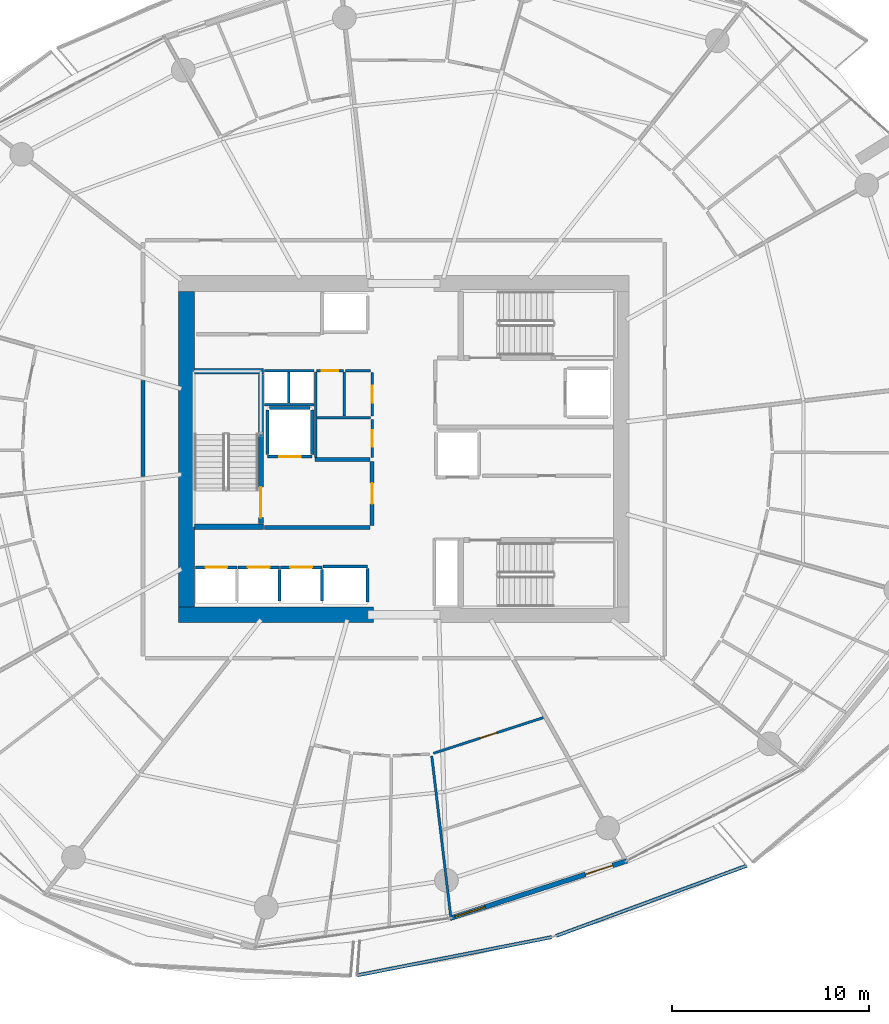
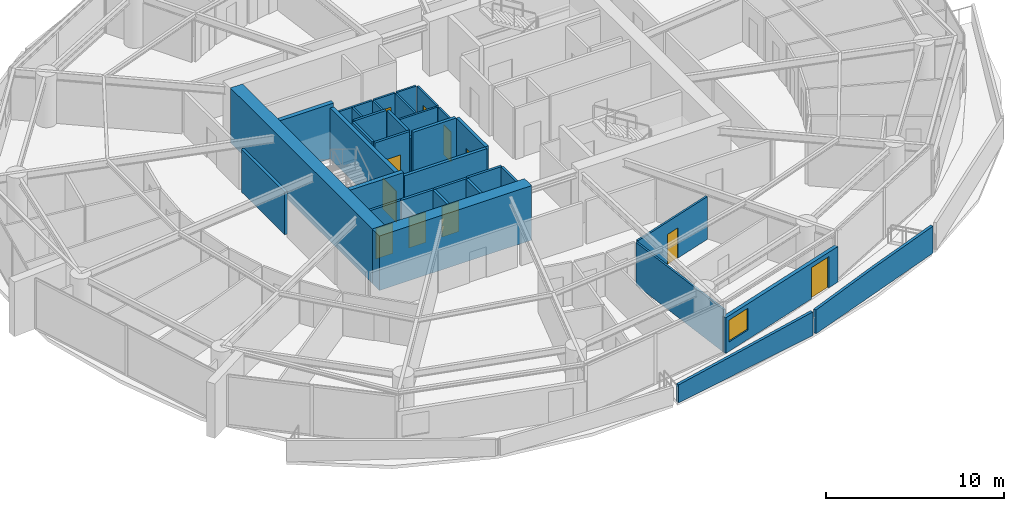
# One storey, part 12 of 23: 35 walls, 11 doors, 1 window, 12 openings.
"""IFC4 building model written with IfcOpenShell, lengths in metres."""

from ifc_helpers import new_model, si_unit, direction, frame, frame_2d, origin, place, context, subcontext, project, spatial, polyline, rectangle, outline, extrude, material, layer, layer_set, type_object, element, fill, save


model = new_model("IFC4")

# Units and contexts
model_context = context("Model", 3, precision=1e-05, world=origin(), true_north=direction((0.0, 1.0)))
body_context = subcontext(model_context, "Body", "Model", "MODEL_VIEW")
ifc_project = project(units=[si_unit("LENGTHUNIT", "METRE"), si_unit("AREAUNIT", "SQUARE_METRE"), si_unit("VOLUMEUNIT", "CUBIC_METRE"), si_unit("PLANEANGLEUNIT", "RADIAN"), si_unit("MASSUNIT", "GRAM", prefix="KILO")], contexts=[model_context])

# Site, building, storey
site_placement = place(None, origin())
site = spatial("IfcSite", under=ifc_project, at=site_placement, CompositionType="ELEMENT")
building_placement = place(site_placement, origin())
building = spatial("IfcBuilding", under=site, at=building_placement, Name="Kazma Halo Residences", CompositionType="ELEMENT")
storey_placement = place(building_placement, frame((0.0, 0.0, 97.64990234375)))
storey = spatial("IfcBuildingStorey", under=building, at=storey_placement, Name="L24", CompositionType="ELEMENT", Elevation=97.64990234375)

# Walls
ifc_material_1 = material(Name="White Concrete C50/60 Balustrade", Category="concrete")
ifc_layer_1 = layer(ifc_material_1, 0.179931640625)
ifc_layer_set_1 = layer_set([ifc_layer_1], Name="White Concrete C50/60 Balustrade")
wall_type_1 = type_object("IfcWallType", Name="WL-BAL-WAVE-180", PredefinedType="PARAPET", material=ifc_layer_set_1)
wall_1_placement = place(storey_placement, frame((46.063720703125, 15.314453125, 0.0), z_axis=(0.0, 0.0, 1.0), x_axis=(0.98127943736, 0.192589370979, 0.0)))
element("IfcWall", 1, at=wall_1_placement, inside=storey, type_object=wall_type_1, Name="L24 white wave balustrade wall SSE.1", PredefinedType="PARAPET", context=body_context, shape_type="SweptSolid", body=[
    extrude(outline(polyline([(0.0, 0.0), (10.041259765625, 0.0), (10.041259765625, 1.632080078125), (5.0205078125, 1.418212890625), (0.0, 1.233154296875), (0.0, 0.0)])), frame((0.0, 0.08984375, 0.0), z_axis=(0.0, -1.0, 0.0), x_axis=(1.0, 0.0, 0.0)), (0.0, 0.0, 1.0), 0.179931640625),
])
wall_2_placement = place(storey_placement, frame((56.1474609375, 17.312744140625, 0.0), z_axis=(0.0, 0.0, 1.0), x_axis=(0.938356460989, 0.345669136777, 0.0)))
element("IfcWall", 2, at=wall_2_placement, inside=storey, type_object=wall_type_1, Name="L24 white wave balustrade wall SSE.2", PredefinedType="PARAPET", context=body_context, shape_type="SweptSolid", body=[
    extrude(outline(polyline([(0.0, 0.0), (10.3076171875, 0.0), (10.3076171875, 1.860107421875), (5.15380859375, 1.798095703125), (0.0, 1.632080078125), (0.0, 0.0)])), frame((0.0, 0.08984375, 0.0), z_axis=(0.0, -1.0, 0.0), x_axis=(1.0, 0.0, 0.0)), (0.0, 0.0, 1.0), 0.179931640625),
])
ifc_material_2 = material(Name="Concrete C80/95", Category="concrete")
ifc_layer_2 = layer(ifc_material_2, 0.800048828125)
ifc_layer_set_2 = layer_set([ifc_layer_2], Name="Concrete C80/95")
wall_type_2 = type_object("IfcWallType", Name="WL-CORE-800", PredefinedType="SHEAR", material=ifc_layer_set_2)
wall_3_placement = place(storey_placement, frame((37.0, 33.60009765625, 0.0), z_axis=(0.0, 0.0, 1.0), x_axis=(1.0, 0.0, 0.0)))
element("IfcWall", 3, at=wall_3_placement, inside=storey, type_object=wall_type_2, Name="L24 central core shear wall SW", PredefinedType="SHEAR", context=body_context, shape_type="SweptSolid", body=[
    extrude(rectangle(XDim=9.89990234375, YDim=0.800048828125, at=frame_2d((4.949951171875, 0.0))), origin(), (0.0, 0.0, 1.0), 3.75),
])
wall_4_placement = place(storey_placement, frame((37.39990234375, 34.0, 0.0), z_axis=(0.0, 0.0, 1.0), x_axis=(0.0, 1.0, 0.0)))
element("IfcWall", 4, at=wall_4_placement, inside=storey, type_object=wall_type_2, Name="L24 central core shear wall W", PredefinedType="SHEAR", context=body_context, shape_type="SweptSolid", body=[
    extrude(rectangle(XDim=16.0, YDim=0.800048828125, at=frame_2d((8.0, 0.0))), origin(), (0.0, 0.0, 1.0), 3.75),
])
ifc_material_3 = material(Name="Concrete C60/75", Category="concrete")
ifc_layer_3 = layer(ifc_material_3, 0.280029296875)
ifc_layer_set_3 = layer_set([ifc_layer_3], Name="Concrete C60/75")
wall_type_3 = type_object("IfcWallType", Name="WL-CORE-ST-280", PredefinedType="SHEAR", material=ifc_layer_set_3)
for number, where, z_axis, x_axis, name in (
    (5, (37.800048828125, 38.06005859375, 0.0), (0.0, 0.0, 1.0), (1.0, 0.0, 0.0), "L24 stairwell bearing wall ST01-S"),
    (6, (37.800048828125, 45.93994140625, 0.0), (0.0, 0.0, 1.0), (1.0, 0.0, 0.0), "L24 stairwell bearing wall ST01-N"),
):
    element("IfcWall", number, at=place(storey_placement, frame(where, z_axis=z_axis, x_axis=x_axis)), inside=storey, type_object=wall_type_3, Name=name, PredefinedType="SHEAR", context=body_context, shape_type="SweptSolid", body=[
        extrude(rectangle(XDim=3.5, YDim=0.280029296875, at=frame_2d((1.75, 0.0))), origin(), (0.0, 0.0, 1.0), 3.75),
    ])
ifc_material_4 = material(Name="Acoustic Twin-Stud Gypsum")
ifc_layer_4 = layer(ifc_material_4, 0.179931640625)
ifc_layer_set_4 = layer_set([ifc_layer_4], Name="Acoustic Twin-Stud Gypsum")
wall_type_4 = type_object("IfcWallType", Name="WL-DEM-180", PredefinedType="PARTITIONING", material=ifc_layer_set_4)
wall_5_placement = place(storey_placement, frame((35.199951171875, 45.489990234375, 0.0), z_axis=(0.0, 0.0, 1.0), x_axis=(0.0, -1.0, 0.0)))
element("IfcWall", 7, at=wall_5_placement, inside=storey, type_object=wall_type_4, Name="L24 Apartment 1 inner wall 6", PredefinedType="PARTITIONING", context=body_context, shape_type="SweptSolid", body=[
    extrude(rectangle(XDim=4.885009765625, YDim=0.179931640625, at=frame_2d((2.4423828125, 0.0))), origin(), (0.0, 0.0, 1.0), 2.940185546875),
])

# Wall, openings, door, window
ifc_material_5 = material(Name="Insulated Pale-Metal Composite Wall")
ifc_layer_5 = layer(ifc_material_5, 0.239990234375)
ifc_layer_set_5 = layer_set([ifc_layer_5], Name="Insulated Pale-Metal Composite Wall")
wall_type_5 = type_object("IfcWallType", Name="WL-EXT-HOST-240", PredefinedType="SOLIDWALL", material=ifc_layer_set_5)
wall_6_placement = place(storey_placement, frame((50.76708984375, 18.202880859375, 0.0), z_axis=(0.0, 0.0, 1.0), x_axis=(0.951052494852, 0.30902937083, 0.0)))
wall_6 = element("IfcWall", 8, at=wall_6_placement, inside=storey, type_object=wall_type_5, Name="L24 exterior terrace-access wall B12", PredefinedType="SOLIDWALL", context=body_context, shape_type="SweptSolid", body=[
    extrude(rectangle(XDim=9.44384765625, YDim=0.239990234375, at=frame_2d((4.721923828125, 0.0))), origin(), (0.0, 0.0, 1.0), 2.4501953125),
])
opening_1_placement = place(wall_6_placement, frame((7.223876953125, 0.0, 0.0)))
opening_1 = element("IfcOpeningElement", 9, at=opening_1_placement, cuts=wall_6, Name="Opening DTR-1600", PredefinedType="OPENING", context=body_context, shape_type="SweptSolid", body=[
    extrude(rectangle(XDim=1.449951171875, YDim=2.14990234375, at=frame_2d((0.72509765625, 1.074951171875))), frame((0.0, 0.1298828125, 0.0), z_axis=(0.0, -1.0, 0.0), x_axis=(1.0, 0.0, 0.0)), (0.0, 0.0, 1.0), 0.260009765625),
])
opening_2_placement = place(wall_6_placement, frame((0.280029296875, 0.0, 0.64990234375)))
opening_2 = element("IfcOpeningElement", 10, at=opening_2_placement, cuts=wall_6, Name="Opening W-1800", PredefinedType="OPENING", context=body_context, shape_type="SweptSolid", body=[
    extrude(rectangle(XDim=1.60009765625, YDim=1.5, at=frame_2d((0.800048828125, 0.75))), frame((0.0, 0.1298828125, 0.0), z_axis=(0.0, -1.0, 0.0), x_axis=(1.0, 0.0, 0.0)), (0.0, 0.0, 1.0), 0.260009765625),
])
ifc_material_6 = material(Name="Aluminium AW-6063 T6 Double-Glazed Terrace Door", Category="aluminium")
door_type_1 = type_object("IfcDoorType", Name="DR-EXT-TERR-1600", OperationType="NOTDEFINED", PredefinedType="DOOR", material=ifc_material_6)
door_1_placement = place(opening_1_placement, origin())
door_1 = element("IfcDoor", 11, at=door_1_placement, inside=storey, type_object=door_type_1, Name="L24 B12 balcony terrace door", OperationType="DOUBLE_DOOR_SLIDING", OverallHeight=2.14990234375, OverallWidth=1.449951171875, PredefinedType="DOOR", context=body_context, shape_type="SweptSolid", body=[
    extrude(rectangle(XDim=1.449951171875, YDim=2.14990234375, at=frame_2d((0.72509765625, 1.074951171875))), frame((0.0, 0.02490234375, 0.0), z_axis=(0.0, -1.0, 0.0), x_axis=(1.0, 0.0, 0.0)), (0.0, 0.0, 1.0), 0.050048828125),
])
fill(opening_1, door_1)
ifc_material_7 = material(Name="Clear Triple-Silver Low-E Glass in Aluminium AW-6063 T6 Frame", Category="aluminium")
window_type = type_object("IfcWindowType", Name="WIN-RES-1800", PartitioningType="DOUBLE_PANEL_VERTICAL", PredefinedType="WINDOW", material=ifc_material_7)
window_placement = place(opening_2_placement, origin())
window = element("IfcWindow", 12, at=window_placement, inside=storey, type_object=window_type, Name="L24 B12 apartment window", OverallHeight=1.5, OverallWidth=1.60009765625, PartitioningType="SINGLE_PANEL", PredefinedType="WINDOW", context=body_context, shape_type="SweptSolid", body=[
    extrude(rectangle(XDim=1.60009765625, YDim=1.5, at=frame_2d((0.800048828125, 0.75))), frame((0.0, 0.030029296875, 0.0), z_axis=(0.0, -1.0, 0.0), x_axis=(1.0, 0.0, 0.0)), (0.0, 0.0, 1.0), 0.06005859375),
])
fill(opening_2, window)

# Wall, opening, door
ifc_material_8 = material(Name="Fire-Rated Blockwork Masonry", Category="masonry")
ifc_layer_6 = layer(ifc_material_8, 0.199951171875)
ifc_layer_set_6 = layer_set([ifc_layer_6], Name="Fire-Rated Blockwork Masonry")
wall_type_6 = type_object("IfcWallType", Name="WL-FLB-200", PredefinedType="PARTITIONING", material=ifc_layer_set_6)
wall_7_placement = place(storey_placement, frame((37.864990234375, 36.0048828125, 0.0), z_axis=(0.0, 0.0, 1.0), x_axis=(1.0, 0.0, 0.0)))
wall_7 = element("IfcWall", 13, at=wall_7_placement, inside=storey, type_object=wall_type_6, Name="L24 lift shaft PL-01 front wall", PredefinedType="PARTITIONING", context=body_context, shape_type="SweptSolid", body=[
    extrude(rectangle(XDim=2.110107421875, YDim=0.159912109375, at=frame_2d((1.05517578125, 0.0))), origin(), (0.0, 0.0, 1.0), 3.5),
])
opening_3_placement = place(wall_7_placement, frame((0.5048828125, 0.0, 0.0)))
opening_3 = element("IfcOpeningElement", 14, at=opening_3_placement, cuts=wall_7, Name="Opening LD-PL-01", PredefinedType="OPENING", context=body_context, shape_type="SweptSolid", body=[
    extrude(rectangle(XDim=1.10009765625, YDim=2.10009765625, at=frame_2d((0.550048828125, 1.050048828125))), frame((0.0, 0.08984375, 0.0), z_axis=(0.0, -1.0, 0.0), x_axis=(1.0, 0.0, 0.0)), (0.0, 0.0, 1.0), 0.179931640625),
])
ifc_material_9 = material(Name="Stainless Steel Fire-Rated", Category="steel")
door_type_2 = type_object("IfcDoorType", Name="DR-LIFT-SLD-1100", OperationType="DOUBLE_DOOR_SLIDING", PredefinedType="DOOR", material=ifc_material_9)
door_2_placement = place(opening_3_placement, origin())
door_2 = element("IfcDoor", 15, at=door_2_placement, inside=storey, type_object=door_type_2, Name="L24 lift PL-01 sliding landing door", OperationType="DOUBLE_DOOR_SLIDING", OverallHeight=2.10009765625, OverallWidth=1.10009765625, PredefinedType="DOOR", context=body_context, shape_type="SweptSolid", body=[
    extrude(rectangle(XDim=1.10009765625, YDim=2.10009765625, at=frame_2d((0.550048828125, 1.050048828125))), frame((0.0, 0.02490234375, 0.0), z_axis=(0.0, -1.0, 0.0), x_axis=(1.0, 0.0, 0.0)), (0.0, 0.0, 1.0), 0.050048828125),
])
fill(opening_3, door_2)

wall_8_placement = place(storey_placement, frame((40.014892578125, 36.0048828125, 0.0), z_axis=(0.0, 0.0, 1.0), x_axis=(1.0, 0.0, 0.0)))
wall_8 = element("IfcWall", 16, at=wall_8_placement, inside=storey, type_object=wall_type_6, Name="L24 lift shaft PL-02 front wall", PredefinedType="PARTITIONING", context=body_context, shape_type="SweptSolid", body=[
    extrude(rectangle(XDim=2.110107421875, YDim=0.159912109375, at=frame_2d((1.05517578125, 0.0))), origin(), (0.0, 0.0, 1.0), 3.5),
])
opening_4_placement = place(wall_8_placement, frame((0.5048828125, 0.0, 0.0)))
opening_4 = element("IfcOpeningElement", 17, at=opening_4_placement, cuts=wall_8, Name="Opening LD-PL-02", PredefinedType="OPENING", context=body_context, shape_type="SweptSolid", body=[
    extrude(rectangle(XDim=1.10009765625, YDim=2.10009765625, at=frame_2d((0.550048828125, 1.050048828125))), frame((0.0, 0.08984375, 0.0), z_axis=(0.0, -1.0, 0.0), x_axis=(1.0, 0.0, 0.0)), (0.0, 0.0, 1.0), 0.179931640625),
])
door_3_placement = place(opening_4_placement, origin())
door_3 = element("IfcDoor", 18, at=door_3_placement, inside=storey, type_object=door_type_2, Name="L24 lift PL-02 sliding landing door", OperationType="DOUBLE_DOOR_SLIDING", OverallHeight=2.10009765625, OverallWidth=1.10009765625, PredefinedType="DOOR", context=body_context, shape_type="SweptSolid", body=[
    extrude(rectangle(XDim=1.10009765625, YDim=2.10009765625, at=frame_2d((0.550048828125, 1.050048828125))), frame((0.0, 0.02490234375, 0.0), z_axis=(0.0, -1.0, 0.0), x_axis=(1.0, 0.0, 0.0)), (0.0, 0.0, 1.0), 0.050048828125),
])
fill(opening_4, door_3)

# Wall
wall_9_placement = place(storey_placement, frame((42.125, 34.294921875, 0.0), z_axis=(0.0, 0.0, 1.0), x_axis=(0.0, 1.0, 0.0)))
element("IfcWall", 19, at=wall_9_placement, inside=storey, type_object=wall_type_6, Name="L24 lift shaft PL-02 side wall E", PredefinedType="PARTITIONING", context=body_context, shape_type="SweptSolid", body=[
    extrude(rectangle(XDim=1.610107421875, YDim=0.159912109375, at=frame_2d((0.80517578125, 0.0))), origin(), (0.0, 0.0, 1.0), 3.5),
])

# Wall, opening, door
wall_10_placement = place(storey_placement, frame((42.1650390625, 36.0048828125, 0.0), z_axis=(0.0, 0.0, 1.0), x_axis=(1.0, 0.0, 0.0)))
wall_10 = element("IfcWall", 20, at=wall_10_placement, inside=storey, type_object=wall_type_6, Name="L24 lift shaft PL-03 front wall", PredefinedType="PARTITIONING", context=body_context, shape_type="SweptSolid", body=[
    extrude(rectangle(XDim=2.10986328125, YDim=0.159912109375, at=frame_2d((1.054931640625, 0.0))), origin(), (0.0, 0.0, 1.0), 3.5),
])
opening_5_placement = place(wall_10_placement, frame((0.5048828125, 0.0, 0.0)))
opening_5 = element("IfcOpeningElement", 21, at=opening_5_placement, cuts=wall_10, Name="Opening LD-PL-03", PredefinedType="OPENING", context=body_context, shape_type="SweptSolid", body=[
    extrude(rectangle(XDim=1.10009765625, YDim=2.10009765625, at=frame_2d((0.550048828125, 1.050048828125))), frame((0.0, 0.08984375, 0.0), z_axis=(0.0, -1.0, 0.0), x_axis=(1.0, 0.0, 0.0)), (0.0, 0.0, 1.0), 0.179931640625),
])
door_4_placement = place(opening_5_placement, origin())
door_4 = element("IfcDoor", 22, at=door_4_placement, inside=storey, type_object=door_type_2, Name="L24 lift PL-03 sliding landing door", OperationType="DOUBLE_DOOR_SLIDING", OverallHeight=2.10009765625, OverallWidth=1.10009765625, PredefinedType="DOOR", context=body_context, shape_type="SweptSolid", body=[
    extrude(rectangle(XDim=1.10009765625, YDim=2.10009765625, at=frame_2d((0.550048828125, 1.050048828125))), frame((0.0, 0.02490234375, 0.0), z_axis=(0.0, -1.0, 0.0), x_axis=(1.0, 0.0, 0.0)), (0.0, 0.0, 1.0), 0.050048828125),
])
fill(opening_5, door_4)

# Walls
wall_11_placement = place(storey_placement, frame((44.27490234375, 34.294921875, 0.0), z_axis=(0.0, 0.0, 1.0), x_axis=(0.0, 1.0, 0.0)))
element("IfcWall", 23, at=wall_11_placement, inside=storey, type_object=wall_type_6, Name="L24 lift shaft PL-03 side wall E", PredefinedType="PARTITIONING", context=body_context, shape_type="SweptSolid", body=[
    extrude(rectangle(XDim=1.610107421875, YDim=0.159912109375, at=frame_2d((0.80517578125, 0.0))), origin(), (0.0, 0.0, 1.0), 3.5),
])
wall_12_placement = place(storey_placement, frame((44.320068359375, 36.054931640625, 0.0), z_axis=(0.0, 0.0, 1.0), x_axis=(1.0, 0.0, 0.0)))
element("IfcWall", 24, at=wall_12_placement, inside=storey, type_object=wall_type_6, Name="L24 lift shaft PX-02 front wall", PredefinedType="PARTITIONING", context=body_context, shape_type="SweptSolid", body=[
    extrude(rectangle(XDim=2.260009765625, YDim=0.159912109375, at=frame_2d((1.1298828125, 0.0))), origin(), (0.0, 0.0, 1.0), 3.5),
])
wall_13_placement = place(storey_placement, frame((46.580078125, 34.2451171875, 0.0), z_axis=(0.0, 0.0, 1.0), x_axis=(0.0, 1.0, 0.0)))
element("IfcWall", 25, at=wall_13_placement, inside=storey, type_object=wall_type_6, Name="L24 lift shaft PX-02 side wall E", PredefinedType="PARTITIONING", context=body_context, shape_type="SweptSolid", body=[
    extrude(rectangle(XDim=1.7099609375, YDim=0.159912109375, at=frame_2d((0.85498046875, 0.0))), origin(), (0.0, 0.0, 1.0), 3.5),
])

# Wall, opening, door
wall_14_placement = place(storey_placement, frame((43.780029296875, 41.6201171875, 0.0), z_axis=(0.0, 0.0, 1.0), x_axis=(-1.0, 0.0, 0.0)))
wall_14 = element("IfcWall", 26, at=wall_14_placement, inside=storey, type_object=wall_type_6, Name="L24 lift shaft FL-01 front wall", PredefinedType="PARTITIONING", context=body_context, shape_type="SweptSolid", body=[
    extrude(rectangle(XDim=2.260009765625, YDim=0.159912109375, at=frame_2d((1.1298828125, 0.0))), origin(), (0.0, 0.0, 1.0), 3.5),
])
opening_6_placement = place(wall_14_placement, frame((0.580078125, 0.0, 0.0)))
opening_6 = element("IfcOpeningElement", 27, at=opening_6_placement, cuts=wall_14, Name="Opening LD-FL-01", PredefinedType="OPENING", context=body_context, shape_type="SweptSolid", body=[
    extrude(rectangle(XDim=1.10009765625, YDim=2.10009765625, at=frame_2d((0.550048828125, 1.050048828125))), frame((0.0, 0.08984375, 0.0), z_axis=(0.0, -1.0, 0.0), x_axis=(1.0, 0.0, 0.0)), (0.0, 0.0, 1.0), 0.179931640625),
])
door_5_placement = place(opening_6_placement, origin())
door_5 = element("IfcDoor", 28, at=door_5_placement, inside=storey, type_object=door_type_2, Name="L24 lift FL-01 sliding landing door", OperationType="DOUBLE_DOOR_SLIDING", OverallHeight=2.10009765625, OverallWidth=1.10009765625, PredefinedType="DOOR", context=body_context, shape_type="SweptSolid", body=[
    extrude(rectangle(XDim=1.10009765625, YDim=2.10009765625, at=frame_2d((0.550048828125, 1.050048828125))), frame((0.0, 0.02490234375, 0.0), z_axis=(0.0, -1.0, 0.0), x_axis=(1.0, 0.0, 0.0)), (0.0, 0.0, 1.0), 0.050048828125),
])
fill(opening_6, door_5)

# Walls
for number, where, z_axis, x_axis, name in (
    (29, (43.780029296875, 41.719970703125, 0.0), (0.0, 0.0, 1.0), (0.0, 1.0, 0.0), "L24 lift shaft FL-01 side wall E"),
    (30, (41.52001953125, 41.719970703125, 0.0), (0.0, 0.0, 1.0), (0.0, 1.0, 0.0), "L24 lift shaft FL-01 side wall W"),
):
    element("IfcWall", number, at=place(storey_placement, frame(where, z_axis=z_axis, x_axis=x_axis)), inside=storey, type_object=wall_type_6, Name=name, PredefinedType="PARTITIONING", context=body_context, shape_type="SweptSolid", body=[
        extrude(rectangle(XDim=2.260009765625, YDim=0.159912109375, at=frame_2d((1.1298828125, 0.0))), origin(), (0.0, 0.0, 1.0), 3.5),
    ])
wall_15_placement = place(storey_placement, frame((41.6201171875, 44.080078125, 0.0), z_axis=(0.0, 0.0, 1.0), x_axis=(1.0, 0.0, 0.0)))
element("IfcWall", 31, at=wall_15_placement, inside=storey, type_object=wall_type_6, Name="L24 lift shaft FL-01 side wall N", PredefinedType="PARTITIONING", context=body_context, shape_type="SweptSolid", body=[
    extrude(rectangle(XDim=2.059814453125, YDim=0.159912109375, at=frame_2d((1.02978515625, 0.0))), origin(), (0.0, 0.0, 1.0), 3.5),
])
wall_16_placement = place(storey_placement, frame((41.35009765625, 38.02001953125, 0.0), z_axis=(0.0, 0.0, 1.0), x_axis=(1.0, 0.0, 0.0)))
element("IfcWall", 32, at=wall_16_placement, inside=storey, type_object=wall_type_6, Name="L24 west firefighting lobby south smoke wall", PredefinedType="PARTITIONING", context=body_context, shape_type="SweptSolid", body=[
    extrude(rectangle(XDim=5.369873046875, YDim=0.199951171875, at=frame_2d((2.68505859375, 0.0))), origin(), (0.0, 0.0, 1.0), 3.5),
])
wall_17_placement = place(storey_placement, frame((43.919921875, 41.47998046875, 0.0), z_axis=(0.0, 0.0, 1.0), x_axis=(1.0, 0.0, 0.0)))
element("IfcWall", 33, at=wall_17_placement, inside=storey, type_object=wall_type_6, Name="L24 west firefighting lobby north smoke wall", PredefinedType="PARTITIONING", context=body_context, shape_type="SweptSolid", body=[
    extrude(rectangle(XDim=2.800048828125, YDim=0.199951171875, at=frame_2d((1.39990234375, 0.0))), origin(), (0.0, 0.0, 1.0), 3.5),
])

# Wall, opening, door
wall_18_placement = place(storey_placement, frame((46.820068359375, 38.1201171875, 0.0), z_axis=(0.0, 0.0, 1.0), x_axis=(0.0, 1.0, 0.0)))
wall_18 = element("IfcWall", 34, at=wall_18_placement, inside=storey, type_object=wall_type_6, Name="L24 west firefighting lobby smoke wall", PredefinedType="PARTITIONING", context=body_context, shape_type="SweptSolid", body=[
    extrude(rectangle(XDim=3.259765625, YDim=0.199951171875, at=frame_2d((1.6298828125, 0.0))), origin(), (0.0, 0.0, 1.0), 3.5),
])
opening_7_placement = place(wall_18_placement, frame((1.10498046875, 0.0, 0.0)))
opening_7 = element("IfcOpeningElement", 35, at=opening_7_placement, cuts=wall_18, Name="Opening D-FLW", PredefinedType="OPENING", context=body_context, shape_type="SweptSolid", body=[
    extrude(rectangle(XDim=1.050048828125, YDim=2.10009765625, at=frame_2d((0.52490234375, 1.050048828125))), frame((0.0, 0.10986328125, 0.0), z_axis=(0.0, -1.0, 0.0), x_axis=(1.0, 0.0, 0.0)), (0.0, 0.0, 1.0), 0.219970703125),
])
ifc_material_10 = material(Name="Fire-Rated Steel Leaf", Category="steel")
door_type_3 = type_object("IfcDoorType", Name="DR-FD90-1050", OperationType="NOTDEFINED", PredefinedType="DOOR", material=ifc_material_10)
door_6_placement = place(opening_7_placement, origin())
door_6 = element("IfcDoor", 36, at=door_6_placement, inside=storey, type_object=door_type_3, Name="L24 west firefighting lobby smoke door", OperationType="SINGLE_SWING_LEFT", OverallHeight=2.10009765625, OverallWidth=1.050048828125, PredefinedType="DOOR", context=body_context, shape_type="SweptSolid", body=[
    extrude(rectangle(XDim=1.050048828125, YDim=2.10009765625, at=frame_2d((0.52490234375, 1.050048828125))), frame((0.0, 0.02490234375, 0.0), z_axis=(0.0, -1.0, 0.0), x_axis=(1.0, 0.0, 0.0)), (0.0, 0.0, 1.0), 0.050048828125),
])
fill(opening_7, door_6)

# Walls
ifc_material_11 = material(Name="Gypsum Plasterboard Partition")
ifc_layer_7 = layer(ifc_material_11, 0.125)
ifc_layer_set_7 = layer_set([ifc_layer_7], Name="Gypsum Plasterboard Partition")
wall_type_7 = type_object("IfcWallType", Name="WL-PART-125", PredefinedType="PARTITIONING", material=ifc_layer_set_7)
wall_19_placement = place(storey_placement, frame((41.360107421875, 44.260009765625, 0.0), z_axis=(0.0, 0.0, 1.0), x_axis=(1.0, 0.0, 0.0)))
element("IfcWall", 37, at=wall_19_placement, inside=storey, type_object=wall_type_7, Name="L24 core riser south wall", PredefinedType="PARTITIONING", context=body_context, shape_type="SweptSolid", body=[
    extrude(rectangle(XDim=2.5, YDim=0.125, at=frame_2d((1.25, 0.0))), origin(), (0.0, 0.0, 1.0), 2.940185546875),
])
wall_20_placement = place(storey_placement, frame((42.60009765625, 44.35009765625, 0.0), z_axis=(0.0, 0.0, 1.0), x_axis=(0.0, 1.0, 0.0)))
element("IfcWall", 38, at=wall_20_placement, inside=storey, type_object=wall_type_7, Name="L24 core riser divider wall", PredefinedType="PARTITIONING", context=body_context, shape_type="SweptSolid", body=[
    extrude(rectangle(XDim=1.5498046875, YDim=0.125, at=frame_2d((0.77490234375, 0.0))), origin(), (0.0, 0.0, 1.0), 2.940185546875),
])
wall_21_placement = place(storey_placement, frame((43.949951171875, 41.580078125, 0.0), z_axis=(0.0, 0.0, 1.0), x_axis=(0.0, 1.0, 0.0)))
element("IfcWall", 39, at=wall_21_placement, inside=storey, type_object=wall_type_7, Name="L24 core service west wall", PredefinedType="PARTITIONING", context=body_context, shape_type="SweptSolid", body=[
    extrude(rectangle(XDim=4.31982421875, YDim=0.125, at=frame_2d((2.159912109375, 0.0))), origin(), (0.0, 0.0, 1.0), 2.940185546875),
])
wall_22_placement = place(storey_placement, frame((44.030029296875, 43.590087890625, 0.0), z_axis=(0.0, 0.0, 1.0), x_axis=(1.0, 0.0, 0.0)))
element("IfcWall", 40, at=wall_22_placement, inside=storey, type_object=wall_type_7, Name="L24 core service horiz divider", PredefinedType="PARTITIONING", context=body_context, shape_type="SweptSolid", body=[
    extrude(rectangle(XDim=2.7099609375, YDim=0.125, at=frame_2d((1.35498046875, 0.0))), origin(), (0.0, 0.0, 1.0), 2.940185546875),
])
wall_23_placement = place(storey_placement, frame((45.409912109375, 43.669921875, 0.0), z_axis=(0.0, 0.0, 1.0), x_axis=(0.0, 1.0, 0.0)))
element("IfcWall", 41, at=wall_23_placement, inside=storey, type_object=wall_type_7, Name="L24 core service vert divider", PredefinedType="PARTITIONING", context=body_context, shape_type="SweptSolid", body=[
    extrude(rectangle(XDim=2.22998046875, YDim=0.125, at=frame_2d((1.114990234375, 0.0))), origin(), (0.0, 0.0, 1.0), 2.940185546875),
])

# Wall, opening, door
wall_24_placement = place(storey_placement, frame((46.820068359375, 41.580078125, 0.0), z_axis=(0.0, 0.0, 1.0), x_axis=(0.0, 1.0, 0.0)))
wall_24 = element("IfcWall", 42, at=wall_24_placement, inside=storey, type_object=wall_type_7, Name="L24 refuse room east wall", PredefinedType="PARTITIONING", context=body_context, shape_type="SweptSolid", body=[
    extrude(rectangle(XDim=1.909912109375, YDim=0.125, at=frame_2d((0.955078125, 0.0))), origin(), (0.0, 0.0, 1.0), 2.940185546875),
])
opening_8_placement = place(wall_24_placement, frame((0.530029296875, 0.0, 0.0)))
opening_8 = element("IfcOpeningElement", 43, at=opening_8_placement, cuts=wall_24, Name="Opening DS-850", PredefinedType="OPENING", context=body_context, shape_type="SweptSolid", body=[
    extrude(rectangle(XDim=0.85009765625, YDim=2.06005859375, at=frame_2d((0.425048828125, 1.030029296875))), frame((0.0, 0.072509765625, 0.0), z_axis=(0.0, -1.0, 0.0), x_axis=(1.0, 0.0, 0.0)), (0.0, 0.0, 1.0), 0.14501953125),
])
ifc_material_12 = material(Name="Painted Steel Access Leaf", Category="steel")
door_type_4 = type_object("IfcDoorType", Name="DR-SVC-850", OperationType="NOTDEFINED", PredefinedType="DOOR", material=ifc_material_12)
door_7_placement = place(opening_8_placement, origin())
door_7 = element("IfcDoor", 44, at=door_7_placement, inside=storey, type_object=door_type_4, Name="L24 refuse room door", OperationType="SINGLE_SWING_LEFT", OverallHeight=2.06005859375, OverallWidth=0.85009765625, PredefinedType="DOOR", context=body_context, shape_type="SweptSolid", body=[
    extrude(rectangle(XDim=0.85009765625, YDim=2.06005859375, at=frame_2d((0.425048828125, 1.030029296875))), frame((0.0, 0.02490234375, 0.0), z_axis=(0.0, -1.0, 0.0), x_axis=(1.0, 0.0, 0.0)), (0.0, 0.0, 1.0), 0.050048828125),
])
fill(opening_8, door_7)

wall_25_placement = place(storey_placement, frame((46.820068359375, 43.68994140625, 0.0), z_axis=(0.0, 0.0, 1.0), x_axis=(0.0, 1.0, 0.0)))
wall_25 = element("IfcWall", 45, at=wall_25_placement, inside=storey, type_object=wall_type_7, Name="L24 sub-metering east wall", PredefinedType="PARTITIONING", context=body_context, shape_type="SweptSolid", body=[
    extrude(rectangle(XDim=2.18994140625, YDim=0.125, at=frame_2d((1.094970703125, 0.0))), origin(), (0.0, 0.0, 1.0), 2.940185546875),
])
opening_9_placement = place(wall_25_placement, frame((0.669921875, 0.0, 0.0)))
opening_9 = element("IfcOpeningElement", 46, at=opening_9_placement, cuts=wall_25, Name="Opening DS-850", PredefinedType="OPENING", context=body_context, shape_type="SweptSolid", body=[
    extrude(rectangle(XDim=0.85009765625, YDim=2.06005859375, at=frame_2d((0.425048828125, 1.030029296875))), frame((0.0, 0.072509765625, 0.0), z_axis=(0.0, -1.0, 0.0), x_axis=(1.0, 0.0, 0.0)), (0.0, 0.0, 1.0), 0.14501953125),
])
door_8_placement = place(opening_9_placement, origin())
door_8 = element("IfcDoor", 47, at=door_8_placement, inside=storey, type_object=door_type_4, Name="L24 sub-metering door", OperationType="SINGLE_SWING_RIGHT", OverallHeight=2.06005859375, OverallWidth=0.85009765625, PredefinedType="DOOR", context=body_context, shape_type="SweptSolid", body=[
    extrude(rectangle(XDim=0.85009765625, YDim=2.06005859375, at=frame_2d((0.425048828125, 1.030029296875))), frame((0.0, 0.02490234375, 0.0), z_axis=(0.0, -1.0, 0.0), x_axis=(1.0, 0.0, 0.0)), (0.0, 0.0, 1.0), 0.050048828125),
])
fill(opening_9, door_8)

# Wall
wall_26_placement = place(storey_placement, frame((41.35009765625, 45.97998046875, 0.0), z_axis=(0.0, 0.0, 1.0), x_axis=(1.0, 0.0, 0.0)))
element("IfcWall", 48, at=wall_26_placement, inside=storey, type_object=wall_type_7, Name="L24 core riser NW wall", PredefinedType="PARTITIONING", context=body_context, shape_type="SweptSolid", body=[
    extrude(rectangle(XDim=2.52978515625, YDim=0.125, at=frame_2d((1.264892578125, 0.0))), origin(), (0.0, 0.0, 1.0), 2.940185546875),
])

# Wall, opening, door
wall_27_placement = place(storey_placement, frame((43.989990234375, 45.97998046875, 0.0), z_axis=(0.0, 0.0, 1.0), x_axis=(1.0, 0.0, 0.0)))
wall_27 = element("IfcWall", 49, at=wall_27_placement, inside=storey, type_object=wall_type_7, Name="L24 cleaners cupboard north wall", PredefinedType="PARTITIONING", context=body_context, shape_type="SweptSolid", body=[
    extrude(rectangle(XDim=1.380126953125, YDim=0.125, at=frame_2d((0.68994140625, 0.0))), origin(), (0.0, 0.0, 1.0), 2.940185546875),
])
opening_10_placement = place(wall_27_placement, frame((0.264892578125, 0.0, 0.0)))
opening_10 = element("IfcOpeningElement", 50, at=opening_10_placement, cuts=wall_27, Name="Opening DS-850", PredefinedType="OPENING", context=body_context, shape_type="SweptSolid", body=[
    extrude(rectangle(XDim=0.85009765625, YDim=2.06005859375, at=frame_2d((0.425048828125, 1.030029296875))), frame((0.0, 0.072509765625, 0.0), z_axis=(0.0, -1.0, 0.0), x_axis=(1.0, 0.0, 0.0)), (0.0, 0.0, 1.0), 0.14501953125),
])
door_9_placement = place(opening_10_placement, origin())
door_9 = element("IfcDoor", 51, at=door_9_placement, inside=storey, type_object=door_type_4, Name="L24 cleaners cupboard door", OperationType="SINGLE_SWING_LEFT", OverallHeight=2.06005859375, OverallWidth=0.85009765625, PredefinedType="DOOR", context=body_context, shape_type="SweptSolid", body=[
    extrude(rectangle(XDim=0.85009765625, YDim=2.06005859375, at=frame_2d((0.425048828125, 1.030029296875))), frame((0.0, 0.02490234375, 0.0), z_axis=(0.0, -1.0, 0.0), x_axis=(1.0, 0.0, 0.0)), (0.0, 0.0, 1.0), 0.050048828125),
])
fill(opening_10, door_9)

# Walls
wall_28_placement = place(storey_placement, frame((45.47998046875, 45.97998046875, 0.0), z_axis=(0.0, 0.0, 1.0), x_axis=(1.0, 0.0, 0.0)))
element("IfcWall", 52, at=wall_28_placement, inside=storey, type_object=wall_type_7, Name="L24 sub-metering north wall", PredefinedType="PARTITIONING", context=body_context, shape_type="SweptSolid", body=[
    extrude(rectangle(XDim=1.260009765625, YDim=0.125, at=frame_2d((0.6298828125, 0.0))), origin(), (0.0, 0.0, 1.0), 2.940185546875),
])
wall_29_placement = place(storey_placement, frame((49.841552734375, 26.440673828125, 0.0), z_axis=(0.0, 0.0, 1.0), x_axis=(0.11753793763, -0.993068393021, 0.0)))
element("IfcWall", 53, at=wall_29_placement, inside=storey, type_object=wall_type_7, Name="L24 Apartment 2 radial partition 11", PredefinedType="PARTITIONING", context=body_context, shape_type="SweptSolid", body=[
    extrude(rectangle(XDim=8.25439453125, YDim=0.125, at=frame_2d((4.127197265625, 0.0))), origin(), (0.0, 0.0, 1.0), 2.940185546875),
])

# Wall, opening, door
wall_30_placement = place(storey_placement, frame((49.934326171875, 26.573974609375, 0.0), z_axis=(0.0, 0.0, 1.0), x_axis=(0.951057969744, 0.309012521082, 0.0)))
wall_30 = element("IfcWall", 54, at=wall_30_placement, inside=storey, type_object=wall_type_7, Name="L24 Apartment 2 Primary Study hall wall", PredefinedType="PARTITIONING", context=body_context, shape_type="SweptSolid", body=[
    extrude(rectangle(XDim=5.8544921875, YDim=0.125, at=frame_2d((2.92724609375, 0.0))), origin(), (0.0, 0.0, 1.0), 2.940185546875),
])
opening_11_placement = place(wall_30_placement, frame((2.477294921875, 0.0, 0.0)))
opening_11 = element("IfcOpeningElement", 55, at=opening_11_placement, cuts=wall_30, Name="Opening DI-950", PredefinedType="OPENING", context=body_context, shape_type="SweptSolid", body=[
    extrude(rectangle(XDim=0.89990234375, YDim=2.080078125, at=frame_2d((0.449951171875, 1.0400390625))), frame((0.0, 0.072509765625, 0.0), z_axis=(0.0, -1.0, 0.0), x_axis=(1.0, 0.0, 0.0)), (0.0, 0.0, 1.0), 0.14501953125),
])
ifc_material_13 = material(Name="Timber Veneer Flush Leaf", Category="wood")
door_type_5 = type_object("IfcDoorType", Name="DR-INT-950", OperationType="NOTDEFINED", PredefinedType="DOOR", material=ifc_material_13)
door_10_placement = place(opening_11_placement, origin())
door_10 = element("IfcDoor", 56, at=door_10_placement, inside=storey, type_object=door_type_5, Name="L24 Apartment 2 Primary Study door", OperationType="SINGLE_SWING_RIGHT", OverallHeight=2.080078125, OverallWidth=0.89990234375, PredefinedType="DOOR", context=body_context, shape_type="SweptSolid", body=[
    extrude(rectangle(XDim=0.89990234375, YDim=2.080078125, at=frame_2d((0.449951171875, 1.0400390625))), frame((0.0, 0.02490234375, 0.0), z_axis=(0.0, -1.0, 0.0), x_axis=(1.0, 0.0, 0.0)), (0.0, 0.0, 1.0), 0.050048828125),
])
fill(opening_11, door_10)

ifc_material_14 = material(Name="Concrete C50/60", Category="concrete")
ifc_layer_8 = layer(ifc_material_14, 0.25)
ifc_layer_set_8 = layer_set([ifc_layer_8], Name="Concrete C50/60")
wall_type_8 = type_object("IfcWallType", Name="WL-SHF-250", PredefinedType="SOLIDWALL", material=ifc_layer_set_8)
wall_31_placement = place(storey_placement, frame((41.179931640625, 38.219970703125, 0.0), z_axis=(0.0, 0.0, 1.0), x_axis=(0.0, 1.0, 0.0)))
wall_31 = element("IfcWall", 57, at=wall_31_placement, inside=storey, type_object=wall_type_8, Name="L24 exit stair ST-01 enclosure wall", PredefinedType="SOLIDWALL", context=body_context, shape_type="SweptSolid", body=[
    extrude(rectangle(XDim=7.56005859375, YDim=0.25, at=frame_2d((3.780029296875, 0.0))), origin(), (0.0, 0.0, 1.0), 3.5),
])
opening_12_placement = place(wall_31_placement, frame((0.300048828125, 0.0, 0.0)))
opening_12 = element("IfcOpeningElement", 58, at=opening_12_placement, cuts=wall_31, Name="Opening D-ST1", PredefinedType="OPENING", context=body_context, shape_type="SweptSolid", body=[
    extrude(rectangle(XDim=1.550048828125, YDim=2.14990234375, at=frame_2d((0.77490234375, 1.074951171875))), frame((0.0, 0.135009765625, 0.0), z_axis=(0.0, -1.0, 0.0), x_axis=(1.0, 0.0, 0.0)), (0.0, 0.0, 1.0), 0.27001953125),
])
ifc_material_15 = material(Name="Fire-Rated Double Steel Leaf", Category="steel")
door_type_6 = type_object("IfcDoorType", Name="DR-FD90-1550", OperationType="NOTDEFINED", PredefinedType="DOOR", material=ifc_material_15)
door_11_placement = place(opening_12_placement, origin())
door_11 = element("IfcDoor", 59, at=door_11_placement, inside=storey, type_object=door_type_6, Name="L24 exit stair ST-01 fire door", OperationType="DOUBLE_DOOR_SINGLE_SWING", OverallHeight=2.14990234375, OverallWidth=1.550048828125, PredefinedType="DOOR", context=body_context, shape_type="SweptSolid", body=[
    extrude(rectangle(XDim=1.550048828125, YDim=2.14990234375, at=frame_2d((0.77490234375, 1.074951171875))), frame((0.0, 0.02490234375, 0.0), z_axis=(0.0, -1.0, 0.0), x_axis=(1.0, 0.0, 0.0)), (0.0, 0.0, 1.0), 0.050048828125),
])
fill(opening_12, door_11)

save(model, "model.ifc")
